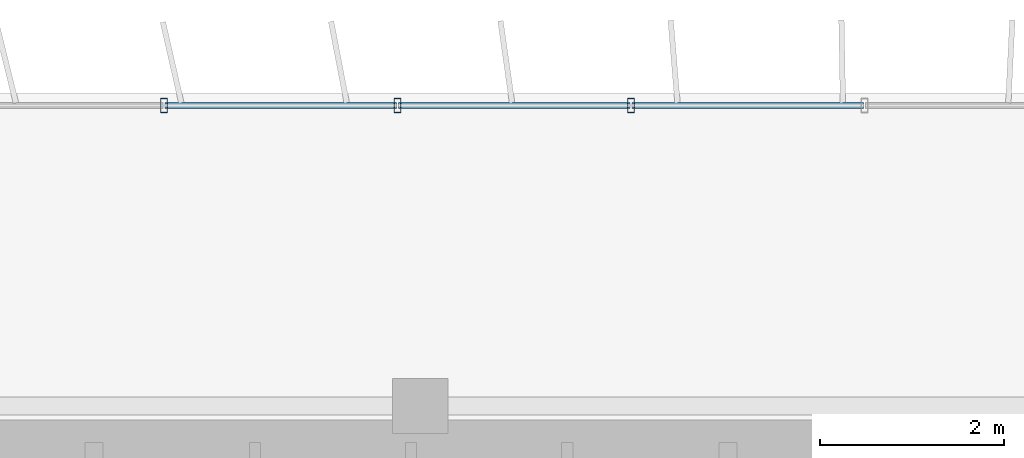
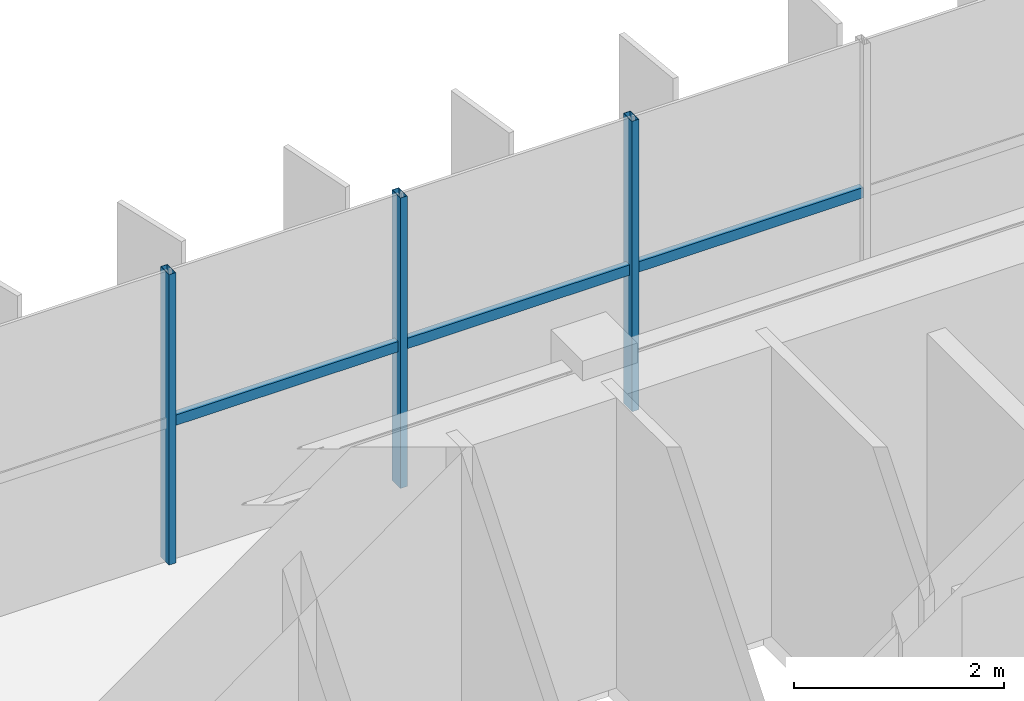
# One storey, part 11 of 23: 6 members, 1 element without a shape of its own.
"""IFC4 building model written with IfcOpenShell, lengths in metres."""

from ifc_helpers import new_model, si_unit, direction, frame, origin, origin_2d, place, context, subcontext, project, spatial, hollow_rectangle, extrude, source, transform, mapped, material, material_profile, profile_set, type_object, element, aggregate, save


model = new_model("IFC4")

# Units and contexts
model_context = context("Model", 3, precision=1e-05, world=origin(), true_north=direction((0.0, 1.0)))
body_context = subcontext(model_context, "Body", "Model", "MODEL_VIEW")
ifc_project = project(units=[si_unit("LENGTHUNIT", "METRE"), si_unit("AREAUNIT", "SQUARE_METRE"), si_unit("VOLUMEUNIT", "CUBIC_METRE"), si_unit("PLANEANGLEUNIT", "RADIAN"), si_unit("MASSUNIT", "GRAM", prefix="KILO")], contexts=[model_context])

# Site, building, storey
site_placement = place(None, origin())
site = spatial("IfcSite", under=ifc_project, at=site_placement, CompositionType="ELEMENT")
building_placement = place(site_placement, origin())
building = spatial("IfcBuilding", under=site, at=building_placement, Name="Trelvane Seafront Commons", CompositionType="ELEMENT")
storey_placement = place(building_placement, frame((0.0, 0.0, 263.10009765625)))
storey = spatial("IfcBuildingStorey", under=building, at=storey_placement, Name="L68", CompositionType="ELEMENT", Elevation=263.10009765625)

# Curtain wall, members
ifc_material = material(Name="Anodised pale-silver aluminium", Category="aluminium")
curtain_wall_type = type_object("IfcCurtainWallType", Name="ARCH-CW5-UPTOWER", PredefinedType="NOTDEFINED", material=ifc_material)
curtain_wall_placement = place(storey_placement, origin())
curtain_wall = element("IfcCurtainWall", 1, at=curtain_wall_placement, inside=storey, type_object=curtain_wall_type, Name="CW-L68-0112", PredefinedType="NOTDEFINED")
ifc_material_profile_1 = material_profile(ifc_material, hollow_rectangle(XDim=0.070068359375, YDim=0.1201171875, WallThickness=0.00390625, at=origin_2d()), Name="TRAN-70x120x4")
ifc_profile_set_1 = profile_set([ifc_material_profile_1], Name="Anodised pale-silver aluminium")
member_type_1 = type_object("IfcMemberType", Name="ARCH-CW-TRAN-120", PredefinedType="USERDEFINED", material=ifc_profile_set_1)
shared_shape_1 = source(origin(), body_context, "Body", "SweptSolid", [
    extrude(hollow_rectangle(XDim=0.070068359375, YDim=0.1201171875, WallThickness=0.00390625, at=origin_2d()), origin(), (0.0, 0.0, 1.0), 2.51708984375),
])
member_1_placement = place(storey_placement, frame((43.56494140625, 48.3701171875, 1.617919921875), z_axis=(1.0, 0.0, 0.0), x_axis=(0.0, 1.0, 0.0)))
member_1 = element("IfcMember", 2, at=member_1_placement, type_object=member_type_1, Name="CW-L68-0112-T11", ObjectType="TRANSOM", PredefinedType="USERDEFINED", context=body_context, shape_type="MappedRepresentation", body=[
    mapped(shared_shape_1, transform((0.0, 0.0, 0.0), x_axis=(1.0, 0.0, 0.0), y_axis=(0.0, 1.0, 0.0), z_axis=(0.0, 0.0, 1.0), scale=1.0)),
])
member_2_placement = place(storey_placement, frame((46.106201171875, 48.3701171875, 1.617919921875), z_axis=(1.0, 0.0, 0.0), x_axis=(0.0, 1.0, 0.0)))
member_2 = element("IfcMember", 3, at=member_2_placement, type_object=member_type_1, Name="CW-L68-0112-T12", ObjectType="TRANSOM", PredefinedType="USERDEFINED", context=body_context, shape_type="MappedRepresentation", body=[
    mapped(shared_shape_1, transform((0.0, 0.0, 0.0), x_axis=(1.0, 0.0, 0.0), y_axis=(0.0, 1.0, 0.0), z_axis=(0.0, 0.0, 1.0), scale=1.0)),
])
shared_shape_2 = source(origin(), body_context, "Body", "SweptSolid", [
    extrude(hollow_rectangle(XDim=0.070068359375, YDim=0.1201171875, WallThickness=0.00390625, at=origin_2d()), origin(), (0.0, 0.0, 1.0), 2.517333984375),
])
member_3_placement = place(storey_placement, frame((41.023681640625, 48.3701171875, 1.617919921875), z_axis=(1.0, 0.0, 0.0), x_axis=(0.0, 1.0, 0.0)))
member_3 = element("IfcMember", 4, at=member_3_placement, type_object=member_type_1, Name="CW-L68-0112-T10", ObjectType="TRANSOM", PredefinedType="USERDEFINED", context=body_context, shape_type="MappedRepresentation", body=[
    mapped(shared_shape_2, transform((0.0, 0.0, 0.0), x_axis=(1.0, 0.0, 0.0), y_axis=(0.0, 1.0, 0.0), z_axis=(0.0, 0.0, 1.0), scale=1.0)),
])
ifc_material_profile_2 = material_profile(ifc_material, hollow_rectangle(XDim=0.074951171875, YDim=0.159912109375, WallThickness=0.00390625, at=origin_2d()), Name="MULL-75x160x4")
ifc_profile_set_2 = profile_set([ifc_material_profile_2], Name="Anodised pale-silver aluminium")
member_type_2 = type_object("IfcMemberType", Name="ARCH-CW-MULL-160", PredefinedType="MULLION", material=ifc_profile_set_2)
shared_shape_3 = source(origin(), body_context, "Body", "SweptSolid", [
    extrude(hollow_rectangle(XDim=0.074951171875, YDim=0.159912109375, WallThickness=0.00390625, at=origin_2d()), origin(), (0.0, 0.0, 1.0), 3.369873046875),
])
member_4_placement = place(storey_placement, frame((41.01171875, 48.3701171875, 0.0), z_axis=(0.0, 0.0, 1.0), x_axis=(1.0, 0.0, 0.0)))
member_4 = element("IfcMember", 5, at=member_4_placement, type_object=member_type_2, Name="CW-L68-0112-M10", PredefinedType="MULLION", context=body_context, shape_type="MappedRepresentation", body=[
    mapped(shared_shape_3, transform((0.0, 0.0, 0.0), x_axis=(1.0, 0.0, 0.0), y_axis=(0.0, 1.0, 0.0), z_axis=(0.0, 0.0, 1.0), scale=1.0)),
])
member_5_placement = place(storey_placement, frame((43.552978515625, 48.3701171875, 0.0), z_axis=(0.0, 0.0, 1.0), x_axis=(1.0, 0.0, 0.0)))
member_5 = element("IfcMember", 6, at=member_5_placement, type_object=member_type_2, Name="CW-L68-0112-M11", PredefinedType="MULLION", context=body_context, shape_type="MappedRepresentation", body=[
    mapped(shared_shape_3, transform((0.0, 0.0, 0.0), x_axis=(1.0, 0.0, 0.0), y_axis=(0.0, 1.0, 0.0), z_axis=(0.0, 0.0, 1.0), scale=1.0)),
])
member_6_placement = place(storey_placement, frame((46.093994140625, 48.3701171875, 0.0), z_axis=(0.0, 0.0, 1.0), x_axis=(1.0, 0.0, 0.0)))
member_6 = element("IfcMember", 7, at=member_6_placement, type_object=member_type_2, Name="CW-L68-0112-M12", PredefinedType="MULLION", context=body_context, shape_type="MappedRepresentation", body=[
    mapped(shared_shape_3, transform((0.0, 0.0, 0.0), x_axis=(1.0, 0.0, 0.0), y_axis=(0.0, 1.0, 0.0), z_axis=(0.0, 0.0, 1.0), scale=1.0)),
])
aggregate(curtain_wall, [member_4, member_5, member_6, member_3, member_1, member_2])

save(model, "model.ifc")
